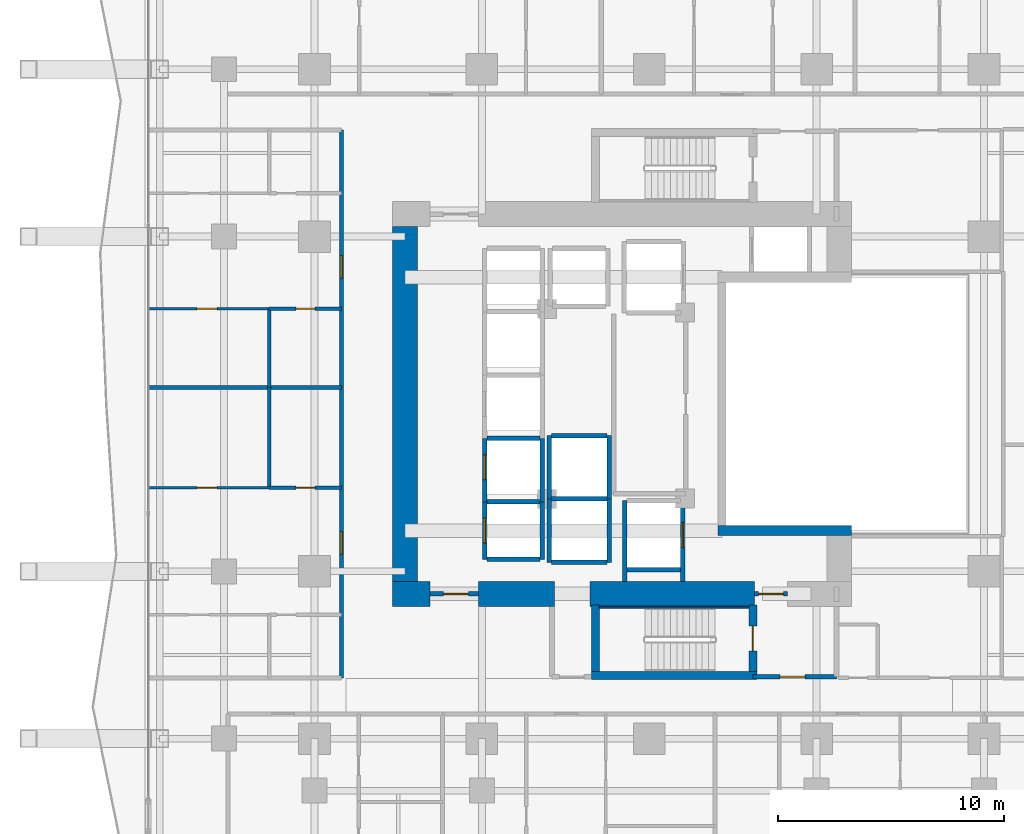
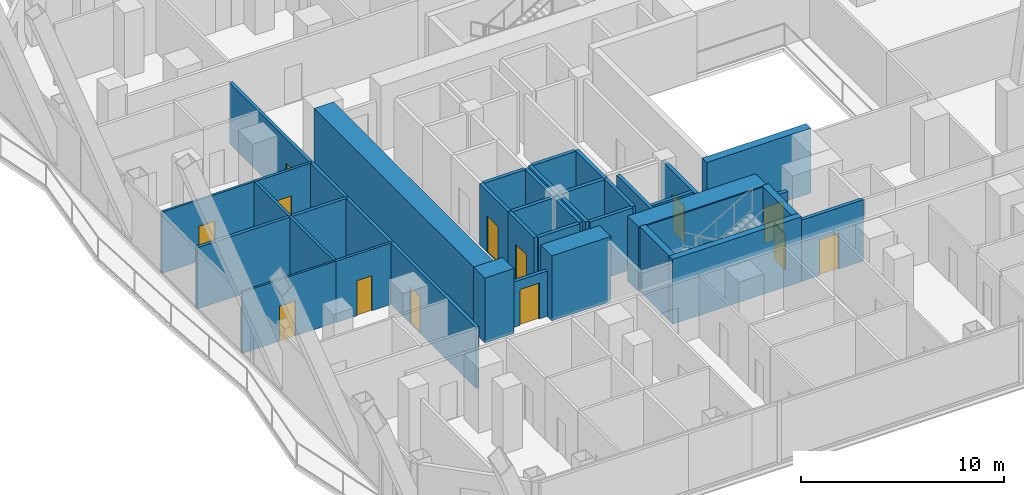
# One storey, part 26 of 33: 38 walls, 13 doors, 13 openings.
"""IFC4 building model written with IfcOpenShell, lengths in metres."""

from ifc_helpers import new_model, si_unit, direction, frame, frame_2d, origin, place, context, subcontext, project, spatial, rectangle, extrude, material, layer, layer_set, type_object, element, fill, save


model = new_model("IFC4")

# Units and contexts
model_context = context("Model", 3, precision=1e-05, world=origin(), true_north=direction((0.0, 1.0)))
body_context = subcontext(model_context, "Body", "Model", "MODEL_VIEW")
ifc_project = project(units=[si_unit("LENGTHUNIT", "METRE"), si_unit("AREAUNIT", "SQUARE_METRE"), si_unit("VOLUMEUNIT", "CUBIC_METRE"), si_unit("PLANEANGLEUNIT", "RADIAN"), si_unit("MASSUNIT", "GRAM", prefix="KILO")], contexts=[model_context])

# Site, building, storey
site_placement = place(None, origin())
site = spatial("IfcSite", under=ifc_project, at=site_placement, CompositionType="ELEMENT")
building_placement = place(site_placement, origin())
building = spatial("IfcBuilding", under=site, at=building_placement, Name="Khorvyn Point Tower", CompositionType="ELEMENT")
storey_placement = place(building_placement, frame((0.0, 0.0, 38.39990234375)))
storey = spatial("IfcBuildingStorey", under=building, at=storey_placement, Name="L10", CompositionType="ELEMENT", Elevation=38.39990234375)

# Wall, opening, door
ifc_material_1 = material(Name="Double acoustic gypsum on twin steel stud", Category="steel")
ifc_layer_1 = layer(ifc_material_1, 0.179931640625)
ifc_layer_set_1 = layer_set([ifc_layer_1], Name="Acoustic Double-Stud Apartment Demising Wall 180")
wall_type_1 = type_object("IfcWallType", Name="Acoustic Double-Stud Apartment Demising Wall 180", PredefinedType="PARTITIONING", material=ifc_layer_set_1)
wall_1_placement = place(storey_placement, frame((-13.60009765625, -12.1201171875, 0.0), z_axis=(0.0, 0.0, 1.0), x_axis=(0.0, 1.0, 0.0)))
wall_1 = element("IfcWall", 1, at=wall_1_placement, inside=storey, type_object=wall_type_1, Name="Wall", PredefinedType="PARTITIONING", context=body_context, shape_type="SweptSolid", body=[
    extrude(rectangle(XDim=12.84716796875, YDim=0.179931640625, at=frame_2d((6.423583984375, 0.0))), origin(), (0.0, 0.0, 1.0), 3.68017578125),
])
opening_1_placement = place(wall_1_placement, frame((5.480224609375, 0.0, 0.0)))
opening_1 = element("IfcOpeningElement", 2, at=opening_1_placement, cuts=wall_1, Name="Opening ID-AP60", PredefinedType="OPENING", context=body_context, shape_type="SweptSolid", body=[
    extrude(rectangle(XDim=1.0, YDim=2.199951171875, at=frame_2d((0.5, 1.10009765625))), frame((0.0, 0.099853515625, 0.0), z_axis=(0.0, -1.0, 0.0), x_axis=(1.0, 0.0, 0.0)), (0.0, 0.0, 1.0), 0.199951171875),
])
ifc_material_2 = material(Name="Engineered hardwood fire-rated leaf", Category="wood")
door_type_1 = type_object("IfcDoorType", Name="Acoustic Solid-Core Timber Apartment Entrance Door 1000x2200", OperationType="NOTDEFINED", PredefinedType="DOOR", material=ifc_material_2)
door_1_placement = place(opening_1_placement, origin())
door_1 = element("IfcDoor", 3, at=door_1_placement, inside=storey, type_object=door_type_1, Name="Door", OperationType="SINGLE_SWING_RIGHT", OverallHeight=2.199951171875, OverallWidth=1.0, PredefinedType="DOOR", context=body_context, shape_type="SweptSolid", body=[
    extrude(rectangle(XDim=1.0, YDim=2.199951171875, at=frame_2d((0.5, 1.10009765625))), frame((0.0, 0.02490234375, 0.0), z_axis=(0.0, -1.0, 0.0), x_axis=(1.0, 0.0, 0.0)), (0.0, 0.0, 1.0), 0.050048828125),
])
fill(opening_1, door_1)

wall_2_placement = place(storey_placement, frame((-13.60009765625, 0.72705078125, 0.0), z_axis=(0.0, 0.0, 1.0), x_axis=(0.0, 1.0, 0.0)))
wall_2 = element("IfcWall", 4, at=wall_2_placement, inside=storey, type_object=wall_type_1, Name="Wall", PredefinedType="PARTITIONING", context=body_context, shape_type="SweptSolid", body=[
    extrude(rectangle(XDim=11.39306640625, YDim=0.179931640625, at=frame_2d((5.696533203125, 0.0))), origin(), (0.0, 0.0, 1.0), 3.68017578125),
])
opening_2_placement = place(wall_2_placement, frame((4.836669921875, 0.0, 0.0)))
opening_2 = element("IfcOpeningElement", 5, at=opening_2_placement, cuts=wall_2, Name="Opening ID-AP60", PredefinedType="OPENING", context=body_context, shape_type="SweptSolid", body=[
    extrude(rectangle(XDim=1.0, YDim=2.199951171875, at=frame_2d((0.5, 1.10009765625))), frame((0.0, 0.099853515625, 0.0), z_axis=(0.0, -1.0, 0.0), x_axis=(1.0, 0.0, 0.0)), (0.0, 0.0, 1.0), 0.199951171875),
])
door_2_placement = place(opening_2_placement, origin())
door_2 = element("IfcDoor", 6, at=door_2_placement, inside=storey, type_object=door_type_1, Name="Door", OperationType="SINGLE_SWING_LEFT", OverallHeight=2.199951171875, OverallWidth=1.0, PredefinedType="DOOR", context=body_context, shape_type="SweptSolid", body=[
    extrude(rectangle(XDim=1.0, YDim=2.199951171875, at=frame_2d((0.5, 1.10009765625))), frame((0.0, 0.02490234375, 0.0), z_axis=(0.0, -1.0, 0.0), x_axis=(1.0, 0.0, 0.0)), (0.0, 0.0, 1.0), 0.050048828125),
])
fill(opening_2, door_2)

# Walls
wall_3_placement = place(storey_placement, frame((-22.1298828125, 0.72705078125, 0.0), z_axis=(0.0, 0.0, 1.0), x_axis=(1.0, 0.0, 0.0)))
element("IfcWall", 7, at=wall_3_placement, inside=storey, type_object=wall_type_1, Name="Wall", PredefinedType="PARTITIONING", context=body_context, shape_type="SweptSolid", body=[
    extrude(rectangle(XDim=8.52978515625, YDim=0.179931640625, at=frame_2d((4.264892578125, 0.0))), origin(), (0.0, 0.0, 1.0), 3.68017578125),
])
ifc_material_3 = material(Name="Concrete C40/50", Category="concrete")
ifc_layer_2 = layer(ifc_material_3, 0.449951171875)
ifc_layer_set_2 = layer_set([ifc_layer_2], Name="Concrete C40/50 Core Shear Wall 450")
wall_type_2 = type_object("IfcWallType", Name="Concrete C40/50 Core Shear Wall 450", PredefinedType="SHEAR", material=ifc_layer_set_2)
wall_4_placement = place(storey_placement, frame((3.044921875, -5.60009765625, 0.0), z_axis=(0.0, 0.0, 1.0), x_axis=(1.0, 0.0, 0.0)))
element("IfcWall", 8, at=wall_4_placement, inside=storey, type_object=wall_type_2, Name="Wall", PredefinedType="SHEAR", context=body_context, shape_type="SweptSolid", body=[
    extrude(rectangle(XDim=5.905029296875, YDim=0.449951171875, at=frame_2d((2.95263671875, 0.0))), origin(), (0.0, 0.0, 1.0), 3.900146484375),
])

# Wall, opening, door
ifc_layer_3 = layer(ifc_material_3, 0.199951171875)
ifc_layer_set_3 = layer_set([ifc_layer_3], Name="Concrete C40/50 Fire-Lobby Compartment Wall 200")
wall_type_3 = type_object("IfcWallType", Name="Concrete C40/50 Fire-Lobby Compartment Wall 200", PredefinedType="SOLIDWALL", material=ifc_layer_set_3)
wall_5_placement = place(storey_placement, frame((4.580078125, -12.06005859375, 0.0), z_axis=(0.0, 0.0, 1.0), x_axis=(1.0, 0.0, 0.0)))
wall_5 = element("IfcWall", 9, at=wall_5_placement, inside=storey, type_object=wall_type_3, Name="Wall", PredefinedType="SOLIDWALL", context=body_context, shape_type="SweptSolid", body=[
    extrude(rectangle(XDim=3.699951171875, YDim=0.199951171875, at=frame_2d((1.85009765625, 0.0))), origin(), (0.0, 0.0, 1.0), 3.68017578125),
])
opening_3_placement = place(wall_5_placement, frame((1.21240234375, 0.0, 0.0)))
opening_3 = element("IfcOpeningElement", 10, at=opening_3_placement, cuts=wall_5, Name="Opening ID-FL90", PredefinedType="OPENING", context=body_context, shape_type="SweptSolid", body=[
    extrude(rectangle(XDim=1.10009765625, YDim=2.14990234375, at=frame_2d((0.550048828125, 1.074951171875))), frame((0.0, 0.10986328125, 0.0), z_axis=(0.0, -1.0, 0.0), x_axis=(1.0, 0.0, 0.0)), (0.0, 0.0, 1.0), 0.219970703125),
])
ifc_material_4 = material(Name="Galvanised powder-coated steel", Category="steel")
door_type_2 = type_object("IfcDoorType", Name="Fire-Rated Steel Lobby and Stair Door 1100x2150", OperationType="NOTDEFINED", PredefinedType="DOOR", material=ifc_material_4)
door_3_placement = place(opening_3_placement, origin())
door_3 = element("IfcDoor", 11, at=door_3_placement, inside=storey, type_object=door_type_2, Name="Door", OperationType="SINGLE_SWING_RIGHT", OverallHeight=2.14990234375, OverallWidth=1.10009765625, PredefinedType="DOOR", context=body_context, shape_type="SweptSolid", body=[
    extrude(rectangle(XDim=1.10009765625, YDim=2.14990234375, at=frame_2d((0.550048828125, 1.074951171875))), frame((0.0, 0.02490234375, 0.0), z_axis=(0.0, -1.0, 0.0), x_axis=(1.0, 0.0, 0.0)), (0.0, 0.0, 1.0), 0.050048828125),
])
fill(opening_3, door_3)

wall_6_placement = place(storey_placement, frame((4.64990234375, -8.39990234375, 0.0), z_axis=(0.0, 0.0, 1.0), x_axis=(1.0, 0.0, 0.0)))
wall_6 = element("IfcWall", 12, at=wall_6_placement, inside=storey, type_object=wall_type_3, Name="Wall", PredefinedType="SOLIDWALL", context=body_context, shape_type="SweptSolid", body=[
    extrude(rectangle(XDim=1.47021484375, YDim=0.199951171875, at=frame_2d((0.735107421875, 0.0))), origin(), (0.0, 0.0, 1.0), 2.72021484375),
])
opening_4_placement = place(wall_6_placement, frame((0.18505859375, 0.0, 0.0)))
opening_4 = element("IfcOpeningElement", 13, at=opening_4_placement, cuts=wall_6, Name="Opening ID-FL90", PredefinedType="OPENING", context=body_context, shape_type="SweptSolid", body=[
    extrude(rectangle(XDim=1.10009765625, YDim=2.14990234375, at=frame_2d((0.550048828125, 1.074951171875))), frame((0.0, 0.10986328125, 0.0), z_axis=(0.0, -1.0, 0.0), x_axis=(1.0, 0.0, 0.0)), (0.0, 0.0, 1.0), 0.219970703125),
])
door_4_placement = place(opening_4_placement, origin())
door_4 = element("IfcDoor", 14, at=door_4_placement, inside=storey, type_object=door_type_2, Name="Door", OperationType="SINGLE_SWING_LEFT", OverallHeight=2.14990234375, OverallWidth=1.10009765625, PredefinedType="DOOR", context=body_context, shape_type="SweptSolid", body=[
    extrude(rectangle(XDim=1.10009765625, YDim=2.14990234375, at=frame_2d((0.550048828125, 1.074951171875))), frame((0.0, 0.02490234375, 0.0), z_axis=(0.0, -1.0, 0.0), x_axis=(1.0, 0.0, 0.0)), (0.0, 0.0, 1.0), 0.050048828125),
])
fill(opening_4, door_4)

wall_7_placement = place(storey_placement, frame((-9.699951171875, -8.39990234375, 0.0), z_axis=(0.0, 0.0, 1.0), x_axis=(1.0, 0.0, 0.0)))
wall_7 = element("IfcWall", 15, at=wall_7_placement, inside=storey, type_object=wall_type_3, Name="Wall", PredefinedType="SOLIDWALL", context=body_context, shape_type="SweptSolid", body=[
    extrude(rectangle(XDim=2.14990234375, YDim=0.199951171875, at=frame_2d((1.074951171875, 0.0))), origin(), (0.0, 0.0, 1.0), 2.72021484375),
])
opening_5_placement = place(wall_7_placement, frame((0.597900390625, 0.0, 0.0)))
opening_5 = element("IfcOpeningElement", 16, at=opening_5_placement, cuts=wall_7, Name="Opening ID-FL90", PredefinedType="OPENING", context=body_context, shape_type="SweptSolid", body=[
    extrude(rectangle(XDim=1.10009765625, YDim=2.14990234375, at=frame_2d((0.550048828125, 1.074951171875))), frame((0.0, 0.10986328125, 0.0), z_axis=(0.0, -1.0, 0.0), x_axis=(1.0, 0.0, 0.0)), (0.0, 0.0, 1.0), 0.219970703125),
])
door_5_placement = place(opening_5_placement, origin())
door_5 = element("IfcDoor", 17, at=door_5_placement, inside=storey, type_object=door_type_2, Name="Door", OperationType="SINGLE_SWING_LEFT", OverallHeight=2.14990234375, OverallWidth=1.10009765625, PredefinedType="DOOR", context=body_context, shape_type="SweptSolid", body=[
    extrude(rectangle(XDim=1.10009765625, YDim=2.14990234375, at=frame_2d((0.550048828125, 1.074951171875))), frame((0.0, 0.02490234375, 0.0), z_axis=(0.0, -1.0, 0.0), x_axis=(1.0, 0.0, 0.0)), (0.0, 0.0, 1.0), 0.050048828125),
])
fill(opening_5, door_5)

# Walls
ifc_layer_4 = layer(ifc_material_3, 0.25)
ifc_layer_set_4 = layer_set([ifc_layer_4], Name="Concrete C40/50 Stair Inner Cheek Structural Wall 250")
wall_type_4 = type_object("IfcWallType", Name="Concrete C40/50 Stair Inner Cheek Structural Wall 250", PredefinedType="SHEAR", material=ifc_layer_set_4)
wall_8_placement = place(storey_placement, frame((-2.199951171875, -8.987548828125, 0.0), z_axis=(0.0, 0.0, 1.0), x_axis=(1.0, 0.0, 0.0)))
element("IfcWall", 18, at=wall_8_placement, inside=storey, type_object=wall_type_4, Name="Wall", PredefinedType="SHEAR", context=body_context, shape_type="SweptSolid", body=[
    extrude(rectangle(XDim=6.599853515625, YDim=0.074951171875, at=frame_2d((3.2998046875, 0.0))), origin(), (0.0, 0.0, 1.0), 3.900146484375),
])
ifc_layer_5 = layer(ifc_material_3, 0.35009765625)
ifc_layer_set_5 = layer_set([ifc_layer_5], Name="Concrete C40/50 Stair Shaft Structural Wall 350")
wall_type_5 = type_object("IfcWallType", Name="Concrete C40/50 Stair Shaft Structural Wall 350", PredefinedType="SHEAR", material=ifc_layer_set_5)
wall_9_placement = place(storey_placement, frame((-2.554931640625, -12.0, 0.0), z_axis=(0.0, 0.0, 1.0), x_axis=(1.0, 0.0, 0.0)))
element("IfcWall", 19, at=wall_9_placement, inside=storey, type_object=wall_type_5, Name="L10 ST-01 South Shaft Wall", PredefinedType="SHEAR", context=body_context, shape_type="SweptSolid", body=[
    extrude(rectangle(XDim=7.309814453125, YDim=0.35009765625, at=frame_2d((3.65478515625, 0.0))), origin(), (0.0, 0.0, 1.0), 3.900146484375),
])
wall_10_placement = place(storey_placement, frame((-2.3798828125, -11.824951171875, 0.0), z_axis=(0.0, 0.0, 1.0), x_axis=(0.0, 1.0, 0.0)))
element("IfcWall", 20, at=wall_10_placement, inside=storey, type_object=wall_type_5, Name="L10 ST-01 West Shaft Wall", PredefinedType="SHEAR", context=body_context, shape_type="SweptSolid", body=[
    extrude(rectangle(XDim=2.925048828125, YDim=0.35009765625, at=frame_2d((1.46240234375, 0.0))), origin(), (0.0, 0.0, 1.0), 3.900146484375),
])

# Wall, opening, door
wall_11_placement = place(storey_placement, frame((4.580078125, -8.89990234375, 0.0), z_axis=(0.0, 0.0, 1.0), x_axis=(0.0, -1.0, 0.0)))
wall_11 = element("IfcWall", 21, at=wall_11_placement, inside=storey, type_object=wall_type_5, Name="L10 ST-01 East Landing Door Wall", PredefinedType="SHEAR", context=body_context, shape_type="SweptSolid", body=[
    extrude(rectangle(XDim=2.925048828125, YDim=0.35009765625, at=frame_2d((1.46240234375, 0.0))), origin(), (0.0, 0.0, 1.0), 3.900146484375),
])
opening_6_placement = place(wall_11_placement, frame((0.91259765625, 0.0, 0.0)))
opening_6 = element("IfcOpeningElement", 22, at=opening_6_placement, cuts=wall_11, Name="Opening ID-FL90", PredefinedType="OPENING", context=body_context, shape_type="SweptSolid", body=[
    extrude(rectangle(XDim=1.10009765625, YDim=2.14990234375, at=frame_2d((0.550048828125, 1.074951171875))), frame((0.0, 0.18505859375, 0.0), z_axis=(0.0, -1.0, 0.0), x_axis=(1.0, 0.0, 0.0)), (0.0, 0.0, 1.0), 0.3701171875),
])
door_6_placement = place(opening_6_placement, origin())
door_6 = element("IfcDoor", 23, at=door_6_placement, inside=storey, type_object=door_type_2, Name="L10 ST-01 Smokeproof Landing Door", OperationType="SINGLE_SWING_RIGHT", OverallHeight=2.14990234375, OverallWidth=1.10009765625, PredefinedType="DOOR", context=body_context, shape_type="SweptSolid", body=[
    extrude(rectangle(XDim=1.10009765625, YDim=2.14990234375, at=frame_2d((0.550048828125, 1.074951171875))), frame((0.0, 0.02490234375, 0.0), z_axis=(0.0, -1.0, 0.0), x_axis=(1.0, 0.0, 0.0)), (0.0, 0.0, 1.0), 0.050048828125),
])
fill(opening_6, door_6)

ifc_layer_6 = layer(ifc_material_3, 0.199951171875)
ifc_layer_set_6 = layer_set([ifc_layer_6], Name="Concrete C40/50 Structural Hoistway and Stair Shaft Wall 200")
wall_type_6 = type_object("IfcWallType", Name="Concrete C40/50 Structural Hoistway and Stair Shaft Wall 200", PredefinedType="SHEAR", material=ifc_layer_set_6)
wall_12_placement = place(storey_placement, frame((-7.27490234375, -6.875, 0.0), z_axis=(0.0, 0.0, 1.0), x_axis=(0.0, 1.0, 0.0)))
wall_12 = element("IfcWall", 24, at=wall_12_placement, inside=storey, type_object=wall_type_6, Name="Wall", PredefinedType="SHEAR", context=body_context, shape_type="SweptSolid", body=[
    extrude(rectangle(XDim=2.550048828125, YDim=0.199951171875, at=frame_2d((1.27490234375, 0.0))), origin(), (0.0, 0.0, 1.0), 3.68017578125),
])
opening_7_placement = place(wall_12_placement, frame((0.72509765625, 0.0, 0.0)))
opening_7 = element("IfcOpeningElement", 25, at=opening_7_placement, cuts=wall_12, Name="Opening LD-1122", PredefinedType="OPENING", context=body_context, shape_type="SweptSolid", body=[
    extrude(rectangle(XDim=1.10009765625, YDim=2.199951171875, at=frame_2d((0.550048828125, 1.10009765625))), frame((0.0, 0.10986328125, 0.0), z_axis=(0.0, -1.0, 0.0), x_axis=(1.0, 0.0, 0.0)), (0.0, 0.0, 1.0), 0.219970703125),
])
ifc_material_5 = material(Name="Stainless steel 1.4301", Category="steel")
door_type_3 = type_object("IfcDoorType", Name="Stainless Steel Automatic Sliding Lift Landing Door 1100x2200", OperationType="SLIDING_TO_LEFT", PredefinedType="DOOR", material=ifc_material_5)
door_7_placement = place(opening_7_placement, origin())
door_7 = element("IfcDoor", 26, at=door_7_placement, inside=storey, type_object=door_type_3, Name="L10 RL-01 Sliding Lift Landing Door", OperationType="SLIDING_TO_LEFT", OverallHeight=2.199951171875, OverallWidth=1.10009765625, PredefinedType="DOOR", context=body_context, shape_type="SweptSolid", body=[
    extrude(rectangle(XDim=1.10009765625, YDim=2.199951171875, at=frame_2d((0.550048828125, 1.10009765625))), frame((0.0, 0.02490234375, 0.0), z_axis=(0.0, -1.0, 0.0), x_axis=(1.0, 0.0, 0.0)), (0.0, 0.0, 1.0), 0.050048828125),
])
fill(opening_7, door_7)

# Walls
wall_13_placement = place(storey_placement, frame((-4.72509765625, -6.875, 0.0), z_axis=(0.0, 0.0, 1.0), x_axis=(0.0, 1.0, 0.0)))
element("IfcWall", 27, at=wall_13_placement, inside=storey, type_object=wall_type_6, Name="Wall", PredefinedType="SHEAR", context=body_context, shape_type="SweptSolid", body=[
    extrude(rectangle(XDim=2.550048828125, YDim=0.199951171875, at=frame_2d((1.27490234375, 0.0))), origin(), (0.0, 0.0, 1.0), 3.68017578125),
])
for number, where, z_axis, x_axis, name in (
    (28, (-7.175048828125, -6.875, 0.0), (0.0, 0.0, 1.0), (1.0, 0.0, 0.0), "Wall"),
    (29, (-7.175048828125, -4.324951171875, 0.0), (0.0, 0.0, 1.0), (1.0, 0.0, 0.0), "Wall"),
):
    element("IfcWall", number, at=place(storey_placement, frame(where, z_axis=z_axis, x_axis=x_axis)), inside=storey, type_object=wall_type_6, Name=name, PredefinedType="SHEAR", context=body_context, shape_type="SweptSolid", body=[
        extrude(rectangle(XDim=2.35009765625, YDim=0.199951171875, at=frame_2d((1.175048828125, 0.0))), origin(), (0.0, 0.0, 1.0), 3.68017578125),
    ])

# Wall, opening, door
wall_14_placement = place(storey_placement, frame((-7.27490234375, -4.324951171875, 0.0), z_axis=(0.0, 0.0, 1.0), x_axis=(0.0, 1.0, 0.0)))
wall_14 = element("IfcWall", 30, at=wall_14_placement, inside=storey, type_object=wall_type_6, Name="Wall", PredefinedType="SHEAR", context=body_context, shape_type="SweptSolid", body=[
    extrude(rectangle(XDim=2.800048828125, YDim=0.199951171875, at=frame_2d((1.39990234375, 0.0))), origin(), (0.0, 0.0, 1.0), 3.68017578125),
])
opening_8_placement = place(wall_14_placement, frame((0.97509765625, 0.0, 0.0)))
opening_8 = element("IfcOpeningElement", 31, at=opening_8_placement, cuts=wall_14, Name="Opening LD-1122", PredefinedType="OPENING", context=body_context, shape_type="SweptSolid", body=[
    extrude(rectangle(XDim=1.10009765625, YDim=2.199951171875, at=frame_2d((0.550048828125, 1.10009765625))), frame((0.0, 0.10986328125, 0.0), z_axis=(0.0, -1.0, 0.0), x_axis=(1.0, 0.0, 0.0)), (0.0, 0.0, 1.0), 0.219970703125),
])
door_8_placement = place(opening_8_placement, origin())
door_8 = element("IfcDoor", 32, at=door_8_placement, inside=storey, type_object=door_type_3, Name="L10 RL-02 Sliding Lift Landing Door", OperationType="SLIDING_TO_LEFT", OverallHeight=2.199951171875, OverallWidth=1.10009765625, PredefinedType="DOOR", context=body_context, shape_type="SweptSolid", body=[
    extrude(rectangle(XDim=1.10009765625, YDim=2.199951171875, at=frame_2d((0.550048828125, 1.10009765625))), frame((0.0, 0.02490234375, 0.0), z_axis=(0.0, -1.0, 0.0), x_axis=(1.0, 0.0, 0.0)), (0.0, 0.0, 1.0), 0.050048828125),
])
fill(opening_8, door_8)

# Walls
wall_15_placement = place(storey_placement, frame((-4.72509765625, -4.324951171875, 0.0), z_axis=(0.0, 0.0, 1.0), x_axis=(0.0, 1.0, 0.0)))
element("IfcWall", 33, at=wall_15_placement, inside=storey, type_object=wall_type_6, Name="Wall", PredefinedType="SHEAR", context=body_context, shape_type="SweptSolid", body=[
    extrude(rectangle(XDim=2.800048828125, YDim=0.199951171875, at=frame_2d((1.39990234375, 0.0))), origin(), (0.0, 0.0, 1.0), 3.68017578125),
])
wall_16_placement = place(storey_placement, frame((-7.175048828125, -1.52490234375, 0.0), z_axis=(0.0, 0.0, 1.0), x_axis=(1.0, 0.0, 0.0)))
element("IfcWall", 34, at=wall_16_placement, inside=storey, type_object=wall_type_6, Name="Wall", PredefinedType="SHEAR", context=body_context, shape_type="SweptSolid", body=[
    extrude(rectangle(XDim=2.35009765625, YDim=0.199951171875, at=frame_2d((1.175048828125, 0.0))), origin(), (0.0, 0.0, 1.0), 3.68017578125),
])
for number, where, z_axis, x_axis, name in (
    (35, (-4.425048828125, -7.0, 0.0), (0.0, 0.0, 1.0), (0.0, 1.0, 0.0), "Wall"),
    (36, (-1.77490234375, -7.0, 0.0), (0.0, 0.0, 1.0), (0.0, 1.0, 0.0), "Wall"),
):
    element("IfcWall", number, at=place(storey_placement, frame(where, z_axis=z_axis, x_axis=x_axis)), inside=storey, type_object=wall_type_6, Name=name, PredefinedType="SHEAR", context=body_context, shape_type="SweptSolid", body=[
        extrude(rectangle(XDim=2.800048828125, YDim=0.199951171875, at=frame_2d((1.39990234375, 0.0))), origin(), (0.0, 0.0, 1.0), 3.68017578125),
    ])
for number, where, z_axis, x_axis, name in (
    (37, (-4.324951171875, -7.0, 0.0), (0.0, 0.0, 1.0), (1.0, 0.0, 0.0), "Wall"),
    (38, (-4.324951171875, -4.199951171875, 0.0), (0.0, 0.0, 1.0), (1.0, 0.0, 0.0), "Wall"),
):
    element("IfcWall", number, at=place(storey_placement, frame(where, z_axis=z_axis, x_axis=x_axis)), inside=storey, type_object=wall_type_6, Name=name, PredefinedType="SHEAR", context=body_context, shape_type="SweptSolid", body=[
        extrude(rectangle(XDim=2.449951171875, YDim=0.199951171875, at=frame_2d((1.22509765625, 0.0))), origin(), (0.0, 0.0, 1.0), 3.68017578125),
    ])
for number, where, z_axis, x_axis, name in (
    (39, (-4.425048828125, -4.199951171875, 0.0), (0.0, 0.0, 1.0), (0.0, 1.0, 0.0), "Wall"),
    (40, (-1.77490234375, -4.199951171875, 0.0), (0.0, 0.0, 1.0), (0.0, 1.0, 0.0), "Wall"),
):
    element("IfcWall", number, at=place(storey_placement, frame(where, z_axis=z_axis, x_axis=x_axis)), inside=storey, type_object=wall_type_6, Name=name, PredefinedType="SHEAR", context=body_context, shape_type="SweptSolid", body=[
        extrude(rectangle(XDim=2.800048828125, YDim=0.199951171875, at=frame_2d((1.39990234375, 0.0))), origin(), (0.0, 0.0, 1.0), 3.68017578125),
    ])
wall_17_placement = place(storey_placement, frame((-4.324951171875, -1.39990234375, 0.0), z_axis=(0.0, 0.0, 1.0), x_axis=(1.0, 0.0, 0.0)))
element("IfcWall", 41, at=wall_17_placement, inside=storey, type_object=wall_type_6, Name="Wall", PredefinedType="SHEAR", context=body_context, shape_type="SweptSolid", body=[
    extrude(rectangle(XDim=2.449951171875, YDim=0.199951171875, at=frame_2d((1.22509765625, 0.0))), origin(), (0.0, 0.0, 1.0), 3.68017578125),
])
wall_18_placement = place(storey_placement, frame((-1.074951171875, -7.85009765625, 0.0), z_axis=(0.0, 0.0, 1.0), x_axis=(0.0, 1.0, 0.0)))
element("IfcWall", 42, at=wall_18_placement, inside=storey, type_object=wall_type_6, Name="Wall", PredefinedType="SHEAR", context=body_context, shape_type="SweptSolid", body=[
    extrude(rectangle(XDim=3.5751953125, YDim=0.199951171875, at=frame_2d((1.78759765625, 0.0))), origin(), (0.0, 0.0, 1.0), 3.68017578125),
])

# Wall, opening, door
wall_19_placement = place(storey_placement, frame((1.47509765625, -7.85009765625, 0.0), z_axis=(0.0, 0.0, 1.0), x_axis=(0.0, 1.0, 0.0)))
wall_19 = element("IfcWall", 43, at=wall_19_placement, inside=storey, type_object=wall_type_6, Name="Wall", PredefinedType="SHEAR", context=body_context, shape_type="SweptSolid", body=[
    extrude(rectangle(XDim=3.5751953125, YDim=0.199951171875, at=frame_2d((1.78759765625, 0.0))), origin(), (0.0, 0.0, 1.0), 3.68017578125),
])
opening_9_placement = place(wall_19_placement, frame((1.5, 0.0, 0.0)))
opening_9 = element("IfcOpeningElement", 44, at=opening_9_placement, cuts=wall_19, Name="Opening LD-1122", PredefinedType="OPENING", context=body_context, shape_type="SweptSolid", body=[
    extrude(rectangle(XDim=1.10009765625, YDim=2.199951171875, at=frame_2d((0.550048828125, 1.10009765625))), frame((0.0, 0.10986328125, 0.0), z_axis=(0.0, -1.0, 0.0), x_axis=(1.0, 0.0, 0.0)), (0.0, 0.0, 1.0), 0.219970703125),
])
door_9_placement = place(opening_9_placement, origin())
door_9 = element("IfcDoor", 45, at=door_9_placement, inside=storey, type_object=door_type_3, Name="L10 FF-01 Sliding Lift Landing Door", OperationType="SLIDING_TO_LEFT", OverallHeight=2.199951171875, OverallWidth=1.10009765625, PredefinedType="DOOR", context=body_context, shape_type="SweptSolid", body=[
    extrude(rectangle(XDim=1.10009765625, YDim=2.199951171875, at=frame_2d((0.550048828125, 1.10009765625))), frame((0.0, 0.02490234375, 0.0), z_axis=(0.0, -1.0, 0.0), x_axis=(1.0, 0.0, 0.0)), (0.0, 0.0, 1.0), 0.050048828125),
])
fill(opening_9, door_9)

# Walls
wall_20_placement = place(storey_placement, frame((-0.97509765625, -7.324951171875, 0.0), z_axis=(0.0, 0.0, 1.0), x_axis=(1.0, 0.0, 0.0)))
element("IfcWall", 46, at=wall_20_placement, inside=storey, type_object=wall_type_6, Name="Wall", PredefinedType="SHEAR", context=body_context, shape_type="SweptSolid", body=[
    extrude(rectangle(XDim=2.35009765625, YDim=0.199951171875, at=frame_2d((1.175048828125, 0.0))), origin(), (0.0, 0.0, 1.0), 3.68017578125),
])
ifc_material_6 = material(Name="Concrete C50/60", Category="concrete")
ifc_layer_7 = layer(ifc_material_6, 1.10009765625)
ifc_layer_set_7 = layer_set([ifc_layer_7], Name="Concrete C50/60 Core Shear Wall 1100")
wall_type_7 = type_object("IfcWallType", Name="Concrete C50/60 Core Shear Wall 1100", PredefinedType="SHEAR", material=ifc_layer_set_7)
wall_21_placement = place(storey_placement, frame((-11.35009765625, -8.39990234375, 0.0), z_axis=(0.0, 0.0, 1.0), x_axis=(1.0, 0.0, 0.0)))
element("IfcWall", 47, at=wall_21_placement, inside=storey, type_object=wall_type_7, Name="Wall", PredefinedType="SHEAR", context=body_context, shape_type="SweptSolid", body=[
    extrude(rectangle(XDim=1.650146484375, YDim=1.10009765625, at=frame_2d((0.8251953125, 0.0))), origin(), (0.0, 0.0, 1.0), 3.900146484375),
])
wall_22_placement = place(storey_placement, frame((-7.550048828125, -8.39990234375, 0.0), z_axis=(0.0, 0.0, 1.0), x_axis=(1.0, 0.0, 0.0)))
element("IfcWall", 48, at=wall_22_placement, inside=storey, type_object=wall_type_7, Name="Wall", PredefinedType="SHEAR", context=body_context, shape_type="SweptSolid", body=[
    extrude(rectangle(XDim=3.35009765625, YDim=1.10009765625, at=frame_2d((1.675048828125, 0.0))), origin(), (0.0, 0.0, 1.0), 3.900146484375),
])
wall_23_placement = place(storey_placement, frame((-2.6201171875, -8.39990234375, 0.0), z_axis=(0.0, 0.0, 1.0), x_axis=(1.0, 0.0, 0.0)))
element("IfcWall", 49, at=wall_23_placement, inside=storey, type_object=wall_type_7, Name="Wall", PredefinedType="SHEAR", context=body_context, shape_type="SweptSolid", body=[
    extrude(rectangle(XDim=7.27001953125, YDim=1.10009765625, at=frame_2d((3.635009765625, 0.0))), origin(), (0.0, 0.0, 1.0), 3.900146484375),
])
wall_24_placement = place(storey_placement, frame((-10.800048828125, -7.85009765625, 0.0), z_axis=(0.0, 0.0, 1.0), x_axis=(0.0, 1.0, 0.0)))
element("IfcWall", 50, at=wall_24_placement, inside=storey, type_object=wall_type_7, Name="Wall", PredefinedType="SHEAR", context=body_context, shape_type="SweptSolid", body=[
    extrude(rectangle(XDim=15.7001953125, YDim=1.10009765625, at=frame_2d((7.85009765625, 0.0))), origin(), (0.0, 0.0, 1.0), 3.900146484375),
])

# Wall, opening, door
ifc_material_7 = material(Name="Gypsum plasterboard on steel stud", Category="steel")
ifc_layer_8 = layer(ifc_material_7, 0.1201171875)
ifc_layer_set_8 = layer_set([ifc_layer_8], Name="Gypsum Acoustic Stud Room Partition Wall 120")
wall_type_8 = type_object("IfcWallType", Name="Gypsum Acoustic Stud Room Partition Wall 120", PredefinedType="PARTITIONING", material=ifc_layer_set_8)
wall_25_placement = place(storey_placement, frame((-22.1298828125, -3.698974609375, 0.0), z_axis=(0.0, 0.0, 1.0), x_axis=(1.0, 0.0, 0.0)))
wall_25 = element("IfcWall", 51, at=wall_25_placement, inside=storey, type_object=wall_type_8, Name="Wall", PredefinedType="PARTITIONING", context=body_context, shape_type="SweptSolid", body=[
    extrude(rectangle(XDim=5.32177734375, YDim=0.1201171875, at=frame_2d((2.660888671875, 0.0))), origin(), (0.0, 0.0, 1.0), 3.68017578125),
])
opening_10_placement = place(wall_25_placement, frame((2.121826171875, 0.0, 0.0)))
opening_10 = element("IfcOpeningElement", 52, at=opening_10_placement, cuts=wall_25, Name="Opening ID-RM90", PredefinedType="OPENING", context=body_context, shape_type="SweptSolid", body=[
    extrude(rectangle(XDim=0.89990234375, YDim=2.10009765625, at=frame_2d((0.449951171875, 1.050048828125))), frame((0.0, 0.070068359375, 0.0), z_axis=(0.0, -1.0, 0.0), x_axis=(1.0, 0.0, 0.0)), (0.0, 0.0, 1.0), 0.14013671875),
])
ifc_material_8 = material(Name="Engineered oak veneer timber", Category="wood")
door_type_4 = type_object("IfcDoorType", Name="Flush Engineered Timber Room Door 900x2100", OperationType="NOTDEFINED", PredefinedType="DOOR", material=ifc_material_8)
door_10_placement = place(opening_10_placement, origin())
door_10 = element("IfcDoor", 53, at=door_10_placement, inside=storey, type_object=door_type_4, Name="Door", OperationType="SINGLE_SWING_RIGHT", OverallHeight=2.10009765625, OverallWidth=0.89990234375, PredefinedType="DOOR", context=body_context, shape_type="SweptSolid", body=[
    extrude(rectangle(XDim=0.89990234375, YDim=2.10009765625, at=frame_2d((0.449951171875, 1.050048828125))), frame((0.0, 0.02490234375, 0.0), z_axis=(0.0, -1.0, 0.0), x_axis=(1.0, 0.0, 0.0)), (0.0, 0.0, 1.0), 0.050048828125),
])
fill(opening_10, door_10)

wall_26_placement = place(storey_placement, frame((-22.1298828125, 4.2080078125, 0.0), z_axis=(0.0, 0.0, 1.0), x_axis=(1.0, 0.0, 0.0)))
wall_26 = element("IfcWall", 54, at=wall_26_placement, inside=storey, type_object=wall_type_8, Name="Wall", PredefinedType="PARTITIONING", context=body_context, shape_type="SweptSolid", body=[
    extrude(rectangle(XDim=5.32177734375, YDim=0.1201171875, at=frame_2d((2.660888671875, 0.0))), origin(), (0.0, 0.0, 1.0), 3.68017578125),
])
opening_11_placement = place(wall_26_placement, frame((2.121826171875, 0.0, 0.0)))
opening_11 = element("IfcOpeningElement", 55, at=opening_11_placement, cuts=wall_26, Name="Opening ID-RM90", PredefinedType="OPENING", context=body_context, shape_type="SweptSolid", body=[
    extrude(rectangle(XDim=0.89990234375, YDim=2.10009765625, at=frame_2d((0.449951171875, 1.050048828125))), frame((0.0, 0.070068359375, 0.0), z_axis=(0.0, -1.0, 0.0), x_axis=(1.0, 0.0, 0.0)), (0.0, 0.0, 1.0), 0.14013671875),
])
door_11_placement = place(opening_11_placement, origin())
door_11 = element("IfcDoor", 56, at=door_11_placement, inside=storey, type_object=door_type_4, Name="Door", OperationType="SINGLE_SWING_RIGHT", OverallHeight=2.10009765625, OverallWidth=0.89990234375, PredefinedType="DOOR", context=body_context, shape_type="SweptSolid", body=[
    extrude(rectangle(XDim=0.89990234375, YDim=2.10009765625, at=frame_2d((0.449951171875, 1.050048828125))), frame((0.0, 0.02490234375, 0.0), z_axis=(0.0, -1.0, 0.0), x_axis=(1.0, 0.0, 0.0)), (0.0, 0.0, 1.0), 0.050048828125),
])
fill(opening_11, door_11)

ifc_material_9 = material(Name="Moisture-resistant gypsum and cement board", Category="gypsum")
ifc_layer_9 = layer(ifc_material_9, 0.14990234375)
ifc_layer_set_9 = layer_set([ifc_layer_9], Name="Moisture-Resistant Wet-Room Partition Wall 150")
wall_type_9 = type_object("IfcWallType", Name="Moisture-Resistant Wet-Room Partition Wall 150", PredefinedType="PARTITIONING", material=ifc_layer_set_9)
wall_27_placement = place(storey_placement, frame((-16.80810546875, -3.698974609375, 0.0), z_axis=(0.0, 0.0, 1.0), x_axis=(1.0, 0.0, 0.0)))
wall_27 = element("IfcWall", 57, at=wall_27_placement, inside=storey, type_object=wall_type_9, Name="Wall", PredefinedType="PARTITIONING", context=body_context, shape_type="SweptSolid", body=[
    extrude(rectangle(XDim=3.2080078125, YDim=0.14990234375, at=frame_2d((1.60400390625, 0.0))), origin(), (0.0, 0.0, 1.0), 3.68017578125),
])
opening_12_placement = place(wall_27_placement, frame((1.178955078125, 0.0, 0.0)))
opening_12 = element("IfcOpeningElement", 58, at=opening_12_placement, cuts=wall_27, Name="Opening ID-WC85", PredefinedType="OPENING", context=body_context, shape_type="SweptSolid", body=[
    extrude(rectangle(XDim=0.85009765625, YDim=2.10009765625, at=frame_2d((0.425048828125, 1.050048828125))), frame((0.0, 0.0849609375, 0.0), z_axis=(0.0, -1.0, 0.0), x_axis=(1.0, 0.0, 0.0)), (0.0, 0.0, 1.0), 0.169921875),
])
ifc_material_10 = material(Name="High-pressure laminate on moisture-resistant core", Category="wood")
door_type_5 = type_object("IfcDoorType", Name="Moisture-Resistant Accessible Washroom Door 850x2100", OperationType="NOTDEFINED", PredefinedType="DOOR", material=ifc_material_10)
door_12_placement = place(opening_12_placement, origin())
door_12 = element("IfcDoor", 59, at=door_12_placement, inside=storey, type_object=door_type_5, Name="Door", OperationType="SINGLE_SWING_LEFT", OverallHeight=2.10009765625, OverallWidth=0.85009765625, PredefinedType="DOOR", context=body_context, shape_type="SweptSolid", body=[
    extrude(rectangle(XDim=0.85009765625, YDim=2.10009765625, at=frame_2d((0.425048828125, 1.050048828125))), frame((0.0, 0.02490234375, 0.0), z_axis=(0.0, -1.0, 0.0), x_axis=(1.0, 0.0, 0.0)), (0.0, 0.0, 1.0), 0.050048828125),
])
fill(opening_12, door_12)

wall_28_placement = place(storey_placement, frame((-16.80810546875, 4.2080078125, 0.0), z_axis=(0.0, 0.0, 1.0), x_axis=(1.0, 0.0, 0.0)))
wall_28 = element("IfcWall", 60, at=wall_28_placement, inside=storey, type_object=wall_type_9, Name="Wall", PredefinedType="PARTITIONING", context=body_context, shape_type="SweptSolid", body=[
    extrude(rectangle(XDim=3.2080078125, YDim=0.14990234375, at=frame_2d((1.60400390625, 0.0))), origin(), (0.0, 0.0, 1.0), 3.68017578125),
])
opening_13_placement = place(wall_28_placement, frame((1.178955078125, 0.0, 0.0)))
opening_13 = element("IfcOpeningElement", 61, at=opening_13_placement, cuts=wall_28, Name="Opening ID-WC85", PredefinedType="OPENING", context=body_context, shape_type="SweptSolid", body=[
    extrude(rectangle(XDim=0.85009765625, YDim=2.10009765625, at=frame_2d((0.425048828125, 1.050048828125))), frame((0.0, 0.0849609375, 0.0), z_axis=(0.0, -1.0, 0.0), x_axis=(1.0, 0.0, 0.0)), (0.0, 0.0, 1.0), 0.169921875),
])
door_13_placement = place(opening_13_placement, origin())
door_13 = element("IfcDoor", 62, at=door_13_placement, inside=storey, type_object=door_type_5, Name="Door", OperationType="SINGLE_SWING_LEFT", OverallHeight=2.10009765625, OverallWidth=0.85009765625, PredefinedType="DOOR", context=body_context, shape_type="SweptSolid", body=[
    extrude(rectangle(XDim=0.85009765625, YDim=2.10009765625, at=frame_2d((0.425048828125, 1.050048828125))), frame((0.0, 0.02490234375, 0.0), z_axis=(0.0, -1.0, 0.0), x_axis=(1.0, 0.0, 0.0)), (0.0, 0.0, 1.0), 0.050048828125),
])
fill(opening_13, door_13)

# Walls
wall_29_placement = place(storey_placement, frame((-16.80810546875, -3.698974609375, 0.0), z_axis=(0.0, 0.0, 1.0), x_axis=(0.0, 1.0, 0.0)))
element("IfcWall", 63, at=wall_29_placement, inside=storey, type_object=wall_type_9, Name="Wall", PredefinedType="PARTITIONING", context=body_context, shape_type="SweptSolid", body=[
    extrude(rectangle(XDim=4.426025390625, YDim=0.14990234375, at=frame_2d((2.212890625, 0.0))), origin(), (0.0, 0.0, 1.0), 3.68017578125),
])
wall_30_placement = place(storey_placement, frame((-16.80810546875, 0.72705078125, 0.0), z_axis=(0.0, 0.0, 1.0), x_axis=(0.0, 1.0, 0.0)))
element("IfcWall", 64, at=wall_30_placement, inside=storey, type_object=wall_type_9, Name="Wall", PredefinedType="PARTITIONING", context=body_context, shape_type="SweptSolid", body=[
    extrude(rectangle(XDim=3.48095703125, YDim=0.14990234375, at=frame_2d((1.740478515625, 0.0))), origin(), (0.0, 0.0, 1.0), 3.68017578125),
])

save(model, "model.ifc")
